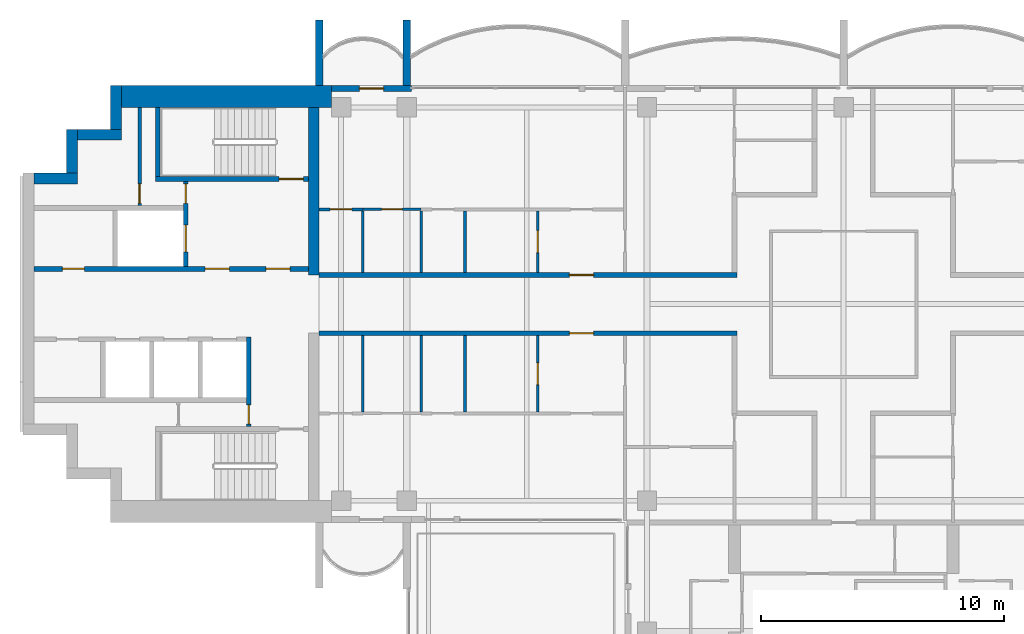
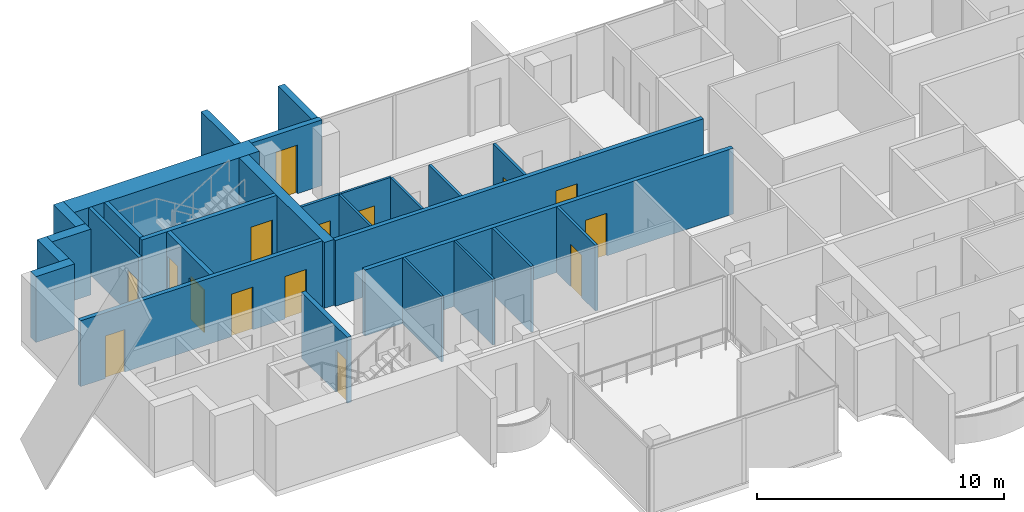
# One storey, part 8 of 17: 27 walls, 15 doors, 15 openings.
"""IFC4 building model written with IfcOpenShell, lengths in metres."""

import ifcopenshell
import ifcopenshell.guid

model = None  # the IFC model being written
_history = None  # IfcOwnerHistory: only IFC2X3 demands one
_inside = {}  # id of a spatial element -> (the spatial element, [elements in it])
_under = {}  # id of a project, library or spatial element -> (it, [spatial elements below it])
_declared = {}  # id of a project -> (the project, [libraries it declares])
_typed = {}  # id of a type object -> (the type object, [elements of that type])
_made_of = {}  # id of a material, layer set ... -> (it, [elements and type objects made of it])


def new_model(schema):
    """Start an empty IFC model of exactly this schema.

    Asked for "IFC4X3", IfcOpenShell would pick the latest addendum, in which some entities
    have other attributes; the version numbers below select the first issue.
    IFC2X3 requires an IfcOwnerHistory on every rooted entity: one is made here for all.
    """
    global model, _history
    if schema == "IFC4X3":
        model = ifcopenshell.file(schema_version=(4, 3, 0, 0))
    else:
        model = ifcopenshell.file(schema=schema)
    _inside.clear()
    _under.clear()
    _declared.clear()
    _typed.clear()
    _made_of.clear()
    _history = None
    if model.schema == "IFC2X3":
        org = make("IfcOrganization", Name="unknown")
        user = make(
            "IfcPersonAndOrganization",
            ThePerson=make("IfcPerson", FamilyName="unknown"),
            TheOrganization=org,
        )
        app = make(
            "IfcApplication",
            ApplicationDeveloper=org,
            Version="unknown",
            ApplicationFullName="unknown",
            ApplicationIdentifier="unknown",
        )
        _history = make(
            "IfcOwnerHistory",
            OwningUser=user,
            OwningApplication=app,
            ChangeAction="ADDED",
            CreationDate=0,
        )
    return model


def make(cls, **values):
    """One entity of the class cls with the attributes given. An attribute that is None is left unset."""
    return model.create_entity(
        cls, **{name: value for name, value in values.items() if value is not None}
    )


def rooted(cls, **values):
    """An entity with a GlobalId (a new one), such as an element, a storey or a relation."""
    return make(cls, GlobalId=ifcopenshell.guid.new(), OwnerHistory=_history, **values)


def si_unit(unit_type, name, prefix=None):
    """IfcSIUnit, for example si_unit("LENGTHUNIT", "METRE", prefix="MILLI")."""
    return make("IfcSIUnit", UnitType=unit_type, Prefix=prefix, Name=name)


def assignment(units):
    """IfcUnitAssignment: the units of a project."""
    return None if units is None else make("IfcUnitAssignment", Units=units)


def point(xyz):
    """IfcCartesianPoint."""
    return None if xyz is None else make("IfcCartesianPoint", Coordinates=xyz)


def direction(xyz):
    """IfcDirection."""
    return None if xyz is None else make("IfcDirection", DirectionRatios=xyz)


def frame(location, z_axis=None, x_axis=None):
    """IfcAxis2Placement3D, a coordinate frame: its origin and axes. An axis left out is left unset."""
    return make(
        "IfcAxis2Placement3D",
        Location=point(location),
        Axis=direction(z_axis),
        RefDirection=direction(x_axis),
    )


def frame_2d(location, x_axis=None):
    """IfcAxis2Placement2D, a coordinate frame in the plane: its origin and x axis."""
    return make(
        "IfcAxis2Placement2D", Location=point(location), RefDirection=direction(x_axis)
    )


def origin():
    """The frame at (0, 0, 0) with its axes left unset."""
    return frame((0.0, 0.0, 0.0))


def place(relative_to, where):
    """IfcLocalPlacement: puts the frame where relative to a parent placement (None: the world)."""
    return make(
        "IfcLocalPlacement", PlacementRelTo=relative_to, RelativePlacement=where
    )


def context(
    kind, dimensions, precision=None, world=None, true_north=None, identifier=None
):
    """IfcGeometricRepresentationContext, for example the 3D "Model" context."""
    return make(
        "IfcGeometricRepresentationContext",
        ContextIdentifier=identifier,
        ContextType=kind,
        CoordinateSpaceDimension=dimensions,
        Precision=precision,
        WorldCoordinateSystem=world,
        TrueNorth=true_north,
    )


def subcontext(parent, identifier, kind, view, scale=None):
    """IfcGeometricRepresentationSubContext, for example "Body" below "Model"."""
    return make(
        "IfcGeometricRepresentationSubContext",
        ContextIdentifier=identifier,
        ContextType=kind,
        ParentContext=parent,
        TargetScale=scale,
        TargetView=view,
    )


def project(units=None, contexts=None):
    """IfcProject with its units and contexts."""
    return rooted(
        "IfcProject",
        Name="project",
        RepresentationContexts=contexts,
        UnitsInContext=assignment(units),
    )


def spatial(cls, under=None, at=None, **own):
    """A site, building, storey or space (cls), placed at a placement, below another one or the project."""
    s = rooted(cls, ObjectPlacement=at, **own)
    if under is not None:
        _under.setdefault(under.id(), (under, []))[1].append(s)
    return s


def profile(cls, at=None, kind="AREA", **sizes):
    """A parametric profile (cls). Its sizes go by their IFC names, for example OverallWidth=200.0."""
    return make(cls, ProfileType=kind, Position=at, **sizes)


def rectangle(**sizes):
    """IfcRectangleProfileDef."""
    return profile("IfcRectangleProfileDef", **sizes)


def extrude(swept, where, along, depth):
    """IfcExtrudedAreaSolid: the profile swept, set in the frame where, extruded along a direction by depth."""
    return make(
        "IfcExtrudedAreaSolid",
        SweptArea=swept,
        Position=where,
        ExtrudedDirection=direction(along),
        Depth=depth,
    )


def shape(context_of_items, identifier, shape_type, items):
    """IfcShapeRepresentation: the items that make up one representation, for example the "Body"."""
    return make(
        "IfcShapeRepresentation",
        ContextOfItems=context_of_items,
        RepresentationIdentifier=identifier,
        RepresentationType=shape_type,
        Items=items,
    )


def material(Name=None, Category=None):
    """IfcMaterial."""
    return make("IfcMaterial", Name=Name, Category=Category)


def layer(
    of_material, thickness, ventilated=None, Name=None, Category=None, Priority=None
):
    """IfcMaterialLayer: one layer of a wall or slab, of a material (None: an air gap)."""
    return make(
        "IfcMaterialLayer",
        Material=of_material,
        LayerThickness=thickness,
        IsVentilated=ventilated,
        Name=Name,
        Category=Category,
        Priority=Priority,
    )


def layer_set(layers, Name=None):
    """IfcMaterialLayerSet."""
    return make("IfcMaterialLayerSet", MaterialLayers=layers, LayerSetName=Name)


def made_of(thing, what):
    """Note that an element or type object is made of a material, layer set ...; save() writes the relation."""
    if what is not None:
        _made_of.setdefault(what.id(), (what, []))[1].append(thing)
    return thing


def type_object(cls, material=None, **own):
    """A type object (cls), such as IfcWallType, which elements share."""
    return made_of(rooted(cls, **own), material)


def element(
    cls,
    number,
    at=None,
    inside=None,
    cuts=None,
    type_object=None,
    material=None,
    context=None,
    identifier="Body",
    shape_type=None,
    held_by="IfcProductDefinitionShape",
    body=None,
    shapes=None,
    **own,
):
    """One element of the class cls, such as IfcWall. Its Tag is "e" and its number.

    at: its placement. inside: the storey or other place that contains it. cuts: it is an
    opening in that element (IfcRelVoidsElement). A single representation is given by context,
    identifier, shape_type and body (its items); several are given by shapes. held_by: the class
    of the entity that holds the representations. save() writes the other relations.
    """
    e = rooted(cls, Tag="e%d" % number, ObjectPlacement=at, **own)
    if body is not None:
        shapes = [shape(context, identifier, shape_type, body)]
    if shapes is not None:
        e.Representation = make(held_by, Representations=shapes)
    if inside is not None:
        _inside.setdefault(inside.id(), (inside, []))[1].append(e)
    if cuts is not None:
        rooted(
            "IfcRelVoidsElement", RelatingBuildingElement=cuts, RelatedOpeningElement=e
        )
    if type_object is not None:
        _typed.setdefault(type_object.id(), (type_object, []))[1].append(e)
    return made_of(e, material)


def fill(opening, filler):
    """IfcRelFillsElement: the door or window that sits in an opening."""
    return rooted(
        "IfcRelFillsElement",
        RelatingOpeningElement=opening,
        RelatedBuildingElement=filler,
    )


def aggregate(whole, parts):
    """IfcRelAggregates: a whole, such as a stair, and the parts it consists of."""
    return rooted("IfcRelAggregates", RelatingObject=whole, RelatedObjects=parts)


def save(model, path):
    """Write the relations noted so far, then the file.

    IfcRelAggregates (storeys below a building ...), IfcRelContainedInSpatialStructure (elements
    in a storey), IfcRelDefinesByType, IfcRelAssociatesMaterial and IfcRelDeclares: one each for
    every whole, place, type object, material and project.
    """
    for whole, parts in _under.values():
        aggregate(whole, parts)
    for where, things in _inside.values():
        rooted(
            "IfcRelContainedInSpatialStructure",
            RelatedElements=things,
            RelatingStructure=where,
        )
    for kind, things in _typed.values():
        rooted("IfcRelDefinesByType", RelatedObjects=things, RelatingType=kind)
    for what, things in _made_of.values():
        rooted("IfcRelAssociatesMaterial", RelatedObjects=things, RelatingMaterial=what)
    for by, libraries in _declared.values():
        rooted("IfcRelDeclares", RelatingContext=by, RelatedDefinitions=libraries)
    model.write(path)


model = new_model("IFC4")

# Units and contexts
model_context = context("Model", 3, precision=1e-05, world=origin(), true_north=direction((0.0, 1.0)))
body_context = subcontext(model_context, "Body", "Model", "MODEL_VIEW")
ifc_project = project(units=[si_unit("LENGTHUNIT", "METRE"), si_unit("AREAUNIT", "SQUARE_METRE"), si_unit("VOLUMEUNIT", "CUBIC_METRE"), si_unit("PLANEANGLEUNIT", "RADIAN"), si_unit("MASSUNIT", "GRAM", prefix="KILO")], contexts=[model_context])

# Site, building, storey
site_placement = place(None, origin())
site = spatial("IfcSite", under=ifc_project, at=site_placement, CompositionType="ELEMENT")
building_placement = place(site_placement, origin())
building = spatial("IfcBuilding", under=site, at=building_placement, Name="Perihelion Cross Residences", CompositionType="ELEMENT")
storey_placement = place(building_placement, frame((0.0, 0.0, 278.0)))
storey = spatial("IfcBuildingStorey", under=building, at=storey_placement, Name="L71", CompositionType="ELEMENT", Elevation=278.0)

# Wall, opening, door
ifc_material_1 = material(Name="Plasterboard partition")
ifc_layer_1 = layer(ifc_material_1, 0.199951171875)
ifc_layer_set_1 = layer_set([ifc_layer_1], Name="Apartment separation wall 200")
wall_type_1 = type_object("IfcWallType", Name="Apartment separation wall 200", PredefinedType="PARTITIONING", material=ifc_layer_set_1)
wall_1_placement = place(storey_placement, frame((-21.60009765625, 1.199951171875, 0.0), z_axis=(0.0, 0.0, 1.0), x_axis=(1.0, 0.0, 0.0)))
wall_1 = element("IfcWall", 1, at=wall_1_placement, inside=storey, type_object=wall_type_1, Name="Partition L71 W013", PredefinedType="PARTITIONING", context=body_context, shape_type="SweptSolid", body=[
    extrude(rectangle(XDim=17.2001953125, YDim=0.199951171875, at=frame_2d((8.60009765625, 0.0))), origin(), (0.0, 0.0, 1.0), 3.25),
])
opening_1_placement = place(wall_1_placement, frame((10.300048828125, 0.0, 0.0)))
opening_1 = element("IfcOpeningElement", 2, at=opening_1_placement, cuts=wall_1, Name="Opening L71.A44", PredefinedType="OPENING", context=body_context, shape_type="SweptSolid", body=[
    extrude(rectangle(XDim=1.0, YDim=2.10009765625, at=frame_2d((0.5, 1.050048828125))), frame((0.0, 0.10986328125, 0.0), z_axis=(0.0, -1.0, 0.0), x_axis=(1.0, 0.0, 0.0)), (0.0, 0.0, 1.0), 0.219970703125),
])
ifc_material_2 = material(Name="Timber door leaf", Category="wood")
door_type_1 = type_object("IfcDoorType", Name="Flat entrance door 1000 x 2100", OperationType="SINGLE_SWING_LEFT", PredefinedType="DOOR", material=ifc_material_2)
door_1_placement = place(opening_1_placement, origin())
door_1 = element("IfcDoor", 3, at=door_1_placement, inside=storey, type_object=door_type_1, Name="Door L71.A44", OperationType="SINGLE_SWING_RIGHT", OverallHeight=2.10009765625, OverallWidth=1.0, PredefinedType="DOOR", context=body_context, shape_type="SweptSolid", body=[
    extrude(rectangle(XDim=1.0, YDim=2.10009765625, at=frame_2d((0.5, 1.050048828125))), frame((0.0, 0.02490234375, 0.0), z_axis=(0.0, -1.0, 0.0), x_axis=(1.0, 0.0, 0.0)), (0.0, 0.0, 1.0), 0.050048828125),
])
fill(opening_1, door_1)

wall_2_placement = place(storey_placement, frame((-4.39990234375, -1.199951171875, 0.0), z_axis=(0.0, 0.0, 1.0), x_axis=(-1.0, 0.0, 0.0)))
wall_2 = element("IfcWall", 4, at=wall_2_placement, inside=storey, type_object=wall_type_1, Name="Partition L71 W017", PredefinedType="PARTITIONING", context=body_context, shape_type="SweptSolid", body=[
    extrude(rectangle(XDim=17.2001953125, YDim=0.199951171875, at=frame_2d((8.60009765625, 0.0))), origin(), (0.0, 0.0, 1.0), 3.25),
])
opening_2_placement = place(wall_2_placement, frame((5.89990234375, 0.0, 0.0)))
opening_2 = element("IfcOpeningElement", 5, at=opening_2_placement, cuts=wall_2, Name="Opening L71.A45", PredefinedType="OPENING", context=body_context, shape_type="SweptSolid", body=[
    extrude(rectangle(XDim=1.0, YDim=2.10009765625, at=frame_2d((0.5, 1.050048828125))), frame((0.0, 0.10986328125, 0.0), z_axis=(0.0, -1.0, 0.0), x_axis=(1.0, 0.0, 0.0)), (0.0, 0.0, 1.0), 0.219970703125),
])
door_2_placement = place(opening_2_placement, origin())
door_2 = element("IfcDoor", 6, at=door_2_placement, inside=storey, type_object=door_type_1, Name="Door L71.A45", OperationType="SINGLE_SWING_RIGHT", OverallHeight=2.10009765625, OverallWidth=1.0, PredefinedType="DOOR", context=body_context, shape_type="SweptSolid", body=[
    extrude(rectangle(XDim=1.0, YDim=2.10009765625, at=frame_2d((0.5, 1.050048828125))), frame((0.0, 0.02490234375, 0.0), z_axis=(0.0, -1.0, 0.0), x_axis=(1.0, 0.0, 0.0)), (0.0, 0.0, 1.0), 0.050048828125),
])
fill(opening_2, door_2)

ifc_material_3 = material(Name="Concrete C30/37, bronze-clad", Category="concrete")
ifc_layer_2 = layer(ifc_material_3, 0.25)
ifc_layer_set_2 = layer_set([ifc_layer_2], Name="Bronze-clad pier wall 250")
wall_type_2 = type_object("IfcWallType", Name="Bronze-clad pier wall 250", PredefinedType="SOLIDWALL", material=ifc_layer_set_2)
wall_3_placement = place(storey_placement, frame((-17.800048828125, 8.875, 0.0), z_axis=(0.0, 0.0, 1.0), x_axis=(-1.0, 0.0, 0.0)))
wall_3 = element("IfcWall", 7, at=wall_3_placement, inside=storey, type_object=wall_type_2, Name="Wall FW1 L71 west side north bay 2 pier", PredefinedType="SOLIDWALL", context=body_context, shape_type="SweptSolid", body=[
    extrude(rectangle(XDim=3.300048828125, YDim=0.25, at=frame_2d((1.64990234375, 0.0))), origin(), (0.0, 0.0, 1.0), 3.25),
])
opening_3_placement = place(wall_3_placement, frame((1.14990234375, 0.0, 0.0)))
opening_3 = element("IfcOpeningElement", 8, at=opening_3_placement, cuts=wall_3, Name="Opening L71.E06", PredefinedType="OPENING", context=body_context, shape_type="SweptSolid", body=[
    extrude(rectangle(XDim=1.0, YDim=2.39990234375, at=frame_2d((0.5, 1.199951171875))), frame((0.0, 0.135009765625, 0.0), z_axis=(0.0, -1.0, 0.0), x_axis=(1.0, 0.0, 0.0)), (0.0, 0.0, 1.0), 0.27001953125),
])
ifc_material_4 = material(Name="Bronze anodised aluminium, glazed", Category="aluminium")
door_type_2 = type_object("IfcDoorType", Name="Balcony door 1000 x 2400", OperationType="NOTDEFINED", PredefinedType="DOOR", material=ifc_material_4)
door_3_placement = place(opening_3_placement, origin())
door_3 = element("IfcDoor", 9, at=door_3_placement, inside=storey, type_object=door_type_2, Name="Door L71.E06 west side north bay 2", OperationType="SINGLE_SWING_RIGHT", OverallHeight=2.39990234375, OverallWidth=1.0, PredefinedType="DOOR", context=body_context, shape_type="SweptSolid", body=[
    extrude(rectangle(XDim=1.0, YDim=2.39990234375, at=frame_2d((0.5, 1.199951171875))), frame((0.0, 0.02490234375, 0.0), z_axis=(0.0, -1.0, 0.0), x_axis=(1.0, 0.0, 0.0)), (0.0, 0.0, 1.0), 0.050048828125),
])
fill(opening_3, door_3)

# Walls
ifc_material_5 = material(Name="Concrete C60/75", Category="concrete")
ifc_layer_3 = layer(ifc_material_5, 0.449951171875)
ifc_layer_set_3 = layer_set([ifc_layer_3], Name="Core wall, inner 450")
wall_type_3 = type_object("IfcWallType", Name="Core wall, inner 450", PredefinedType="SHEAR", material=ifc_layer_set_3)
wall_4_placement = place(storey_placement, frame((-21.824951171875, 1.199951171875, 0.0), z_axis=(0.0, 0.0, 1.0), x_axis=(0.0, 1.0, 0.0)))
element("IfcWall", 10, at=wall_4_placement, inside=storey, type_object=wall_type_3, Name="West core core wall, inner", PredefinedType="SHEAR", context=body_context, shape_type="SweptSolid", body=[
    extrude(rectangle(XDim=6.900146484375, YDim=0.449951171875, at=frame_2d((3.4501953125, 0.0))), origin(), (0.0, 0.0, 1.0), 3.25),
])
ifc_material_6 = material(Name="Concrete C60/75", Category="concrete")
ifc_layer_4 = layer(ifc_material_6, 0.449951171875)
ifc_layer_set_4 = layer_set([ifc_layer_4], Name="Core wall, outer 450")
wall_type_4 = type_object("IfcWallType", Name="Core wall, outer 450", PredefinedType="SHEAR", material=ifc_layer_set_4)
for number, where, z_axis, x_axis, name in (
    (11, (-33.35009765625, 5.175048828125, 0.0), (0.0, 0.0, 1.0), (1.0, 0.0, 0.0), "West core core wall, outer"),
    (12, (-31.77490234375, 5.39990234375, 0.0), (0.0, 0.0, 1.0), (0.0, 1.0, 0.0), "West core core wall, outer"),
    (13, (-31.550048828125, 6.97509765625, 0.0), (0.0, 0.0, 1.0), (1.0, 0.0, 0.0), "West core core wall, outer"),
    (14, (-29.97509765625, 7.199951171875, 0.0), (0.0, 0.0, 1.0), (0.0, 1.0, 0.0), "West core core wall, outer"),
):
    element("IfcWall", number, at=place(storey_placement, frame(where, z_axis=z_axis, x_axis=x_axis)), inside=storey, type_object=wall_type_4, Name=name, PredefinedType="SHEAR", context=body_context, shape_type="SweptSolid", body=[
        extrude(rectangle(XDim=1.800048828125, YDim=0.449951171875, at=frame_2d((0.89990234375, 0.0))), origin(), (0.0, 0.0, 1.0), 3.25),
    ])
ifc_material_7 = material(Name="Concrete C60/75", Category="concrete")
ifc_layer_5 = layer(ifc_material_7, 0.89990234375)
ifc_layer_set_5 = layer_set([ifc_layer_5], Name="Core wall, outer 900")
wall_type_5 = type_object("IfcWallType", Name="Core wall, outer 900", PredefinedType="SHEAR", material=ifc_layer_set_5)
wall_5_placement = place(storey_placement, frame((-29.75, 8.550048828125, 0.0), z_axis=(0.0, 0.0, 1.0), x_axis=(1.0, 0.0, 0.0)))
element("IfcWall", 15, at=wall_5_placement, inside=storey, type_object=wall_type_5, Name="West core core wall, outer", PredefinedType="SHEAR", context=body_context, shape_type="SweptSolid", body=[
    extrude(rectangle(XDim=8.64990234375, YDim=0.89990234375, at=frame_2d((4.324951171875, 0.0))), origin(), (0.0, 0.0, 1.0), 3.25),
])

# Wall, opening, door
ifc_material_8 = material(Name="Concrete C50/60", Category="concrete")
ifc_layer_6 = layer(ifc_material_8, 0.199951171875)
ifc_layer_set_6 = layer_set([ifc_layer_6], Name="Lobby wall 200")
wall_type_6 = type_object("IfcWallType", Name="Lobby wall 200", PredefinedType="SOLIDWALL", material=ifc_layer_set_6)
wall_6_placement = place(storey_placement, frame((-24.5, -5.050048828125, 0.0), z_axis=(0.0, 0.0, 1.0), x_axis=(0.0, 1.0, 0.0)))
wall_6 = element("IfcWall", 16, at=wall_6_placement, inside=storey, type_object=wall_type_6, Name="West core lobby wall", PredefinedType="SOLIDWALL", context=body_context, shape_type="SweptSolid", body=[
    extrude(rectangle(XDim=3.699951171875, YDim=0.199951171875, at=frame_2d((1.85009765625, 0.0))), origin(), (0.0, 0.0, 1.0), 3.25),
])
opening_4_placement = place(wall_6_placement, frame((0.10009765625, 0.0, 0.0)))
opening_4 = element("IfcOpeningElement", 17, at=opening_4_placement, cuts=wall_6, Name="Opening L71.C22", PredefinedType="OPENING", context=body_context, shape_type="SweptSolid", body=[
    extrude(rectangle(XDim=0.800048828125, YDim=2.10009765625, at=frame_2d((0.39990234375, 1.050048828125))), frame((0.0, 0.10986328125, 0.0), z_axis=(0.0, -1.0, 0.0), x_axis=(1.0, 0.0, 0.0)), (0.0, 0.0, 1.0), 0.219970703125),
])
ifc_material_9 = material(Name="Steel, powder coated", Category="steel")
door_type_3 = type_object("IfcDoorType", Name="Riser door 800", OperationType="SINGLE_SWING_LEFT", PredefinedType="DOOR", material=ifc_material_9)
door_4_placement = place(opening_4_placement, origin())
door_4 = element("IfcDoor", 18, at=door_4_placement, inside=storey, type_object=door_type_3, Name="West core riser door", OperationType="SINGLE_SWING_LEFT", OverallHeight=2.10009765625, OverallWidth=0.800048828125, PredefinedType="DOOR", context=body_context, shape_type="SweptSolid", body=[
    extrude(rectangle(XDim=0.800048828125, YDim=2.10009765625, at=frame_2d((0.39990234375, 1.050048828125))), frame((0.0, 0.02490234375, 0.0), z_axis=(0.0, -1.0, 0.0), x_axis=(1.0, 0.0, 0.0)), (0.0, 0.0, 1.0), 0.050048828125),
])
fill(opening_4, door_4)

ifc_material_10 = material(Name="Plasterboard partition")
ifc_layer_7 = layer(ifc_material_10, 0.1201171875)
ifc_layer_set_7 = layer_set([ifc_layer_7], Name="Partition wall 120")
wall_type_7 = type_object("IfcWallType", Name="Partition wall 120", PredefinedType="PARTITIONING", material=ifc_layer_set_7)
wall_7_placement = place(storey_placement, frame((-12.60009765625, 1.300048828125, 0.0), z_axis=(0.0, 0.0, 1.0), x_axis=(0.0, 1.0, 0.0)))
wall_7 = element("IfcWall", 19, at=wall_7_placement, inside=storey, type_object=wall_type_7, Name="Partition L71 W046", PredefinedType="PARTITIONING", context=body_context, shape_type="SweptSolid", body=[
    extrude(rectangle(XDim=2.5400390625, YDim=0.1201171875, at=frame_2d((1.27001953125, 0.0))), origin(), (0.0, 0.0, 1.0), 3.25),
])
opening_5_placement = place(wall_7_placement, frame((0.820068359375, 0.0, 0.0)))
opening_5 = element("IfcOpeningElement", 20, at=opening_5_placement, cuts=wall_7, Name="Opening L71.A21", PredefinedType="OPENING", context=body_context, shape_type="SweptSolid", body=[
    extrude(rectangle(XDim=0.89990234375, YDim=2.10009765625, at=frame_2d((0.449951171875, 1.050048828125))), frame((0.0, 0.070068359375, 0.0), z_axis=(0.0, -1.0, 0.0), x_axis=(1.0, 0.0, 0.0)), (0.0, 0.0, 1.0), 0.14013671875),
])
ifc_material_11 = material(Name="Timber door leaf", Category="wood")
door_type_4 = type_object("IfcDoorType", Name="Interior room door 900 x 2100", OperationType="SINGLE_SWING_LEFT", PredefinedType="DOOR", material=ifc_material_11)
door_5_placement = place(opening_5_placement, origin())
door_5 = element("IfcDoor", 21, at=door_5_placement, inside=storey, type_object=door_type_4, Name="Door L71.A21", OperationType="SINGLE_SWING_LEFT", OverallHeight=2.10009765625, OverallWidth=0.89990234375, PredefinedType="DOOR", context=body_context, shape_type="SweptSolid", body=[
    extrude(rectangle(XDim=0.89990234375, YDim=2.10009765625, at=frame_2d((0.449951171875, 1.050048828125))), frame((0.0, 0.02490234375, 0.0), z_axis=(0.0, -1.0, 0.0), x_axis=(1.0, 0.0, 0.0)), (0.0, 0.0, 1.0), 0.050048828125),
])
fill(opening_5, door_5)

# Wall
wall_8_placement = place(storey_placement, frame((-15.60009765625, 1.300048828125, 0.0), z_axis=(0.0, 0.0, 1.0), x_axis=(0.0, 1.0, 0.0)))
element("IfcWall", 22, at=wall_8_placement, inside=storey, type_object=wall_type_7, Name="Partition L71 W049", PredefinedType="PARTITIONING", context=body_context, shape_type="SweptSolid", body=[
    extrude(rectangle(XDim=2.5400390625, YDim=0.1201171875, at=frame_2d((1.27001953125, 0.0))), origin(), (0.0, 0.0, 1.0), 3.25),
])

# Wall, opening, door
wall_9_placement = place(storey_placement, frame((-21.60009765625, 3.89990234375, 0.0), z_axis=(0.0, 0.0, 1.0), x_axis=(1.0, 0.0, 0.0)))
wall_9 = element("IfcWall", 23, at=wall_9_placement, inside=storey, type_object=wall_type_7, Name="Partition L71 W053", PredefinedType="PARTITIONING", context=body_context, shape_type="SweptSolid", body=[
    extrude(rectangle(XDim=1.800048828125, YDim=0.1201171875, at=frame_2d((0.89990234375, 0.0))), origin(), (0.0, 0.0, 1.0), 3.25),
])
opening_6_placement = place(wall_9_placement, frame((0.449951171875, 0.0, 0.0)))
opening_6 = element("IfcOpeningElement", 24, at=opening_6_placement, cuts=wall_9, Name="Opening L71.A20", PredefinedType="OPENING", context=body_context, shape_type="SweptSolid", body=[
    extrude(rectangle(XDim=0.89990234375, YDim=2.10009765625, at=frame_2d((0.449951171875, 1.050048828125))), frame((0.0, 0.070068359375, 0.0), z_axis=(0.0, -1.0, 0.0), x_axis=(1.0, 0.0, 0.0)), (0.0, 0.0, 1.0), 0.14013671875),
])
door_6_placement = place(opening_6_placement, origin())
door_6 = element("IfcDoor", 25, at=door_6_placement, inside=storey, type_object=door_type_4, Name="Door L71.A20", OperationType="SINGLE_SWING_LEFT", OverallHeight=2.10009765625, OverallWidth=0.89990234375, PredefinedType="DOOR", context=body_context, shape_type="SweptSolid", body=[
    extrude(rectangle(XDim=0.89990234375, YDim=2.10009765625, at=frame_2d((0.449951171875, 1.050048828125))), frame((0.0, 0.02490234375, 0.0), z_axis=(0.0, -1.0, 0.0), x_axis=(1.0, 0.0, 0.0)), (0.0, 0.0, 1.0), 0.050048828125),
])
fill(opening_6, door_6)

wall_10_placement = place(storey_placement, frame((-12.60009765625, -4.43994140625, 0.0), z_axis=(0.0, 0.0, 1.0), x_axis=(0.0, 1.0, 0.0)))
wall_10 = element("IfcWall", 26, at=wall_10_placement, inside=storey, type_object=wall_type_7, Name="Partition L71 W057", PredefinedType="PARTITIONING", context=body_context, shape_type="SweptSolid", body=[
    extrude(rectangle(XDim=3.139892578125, YDim=0.1201171875, at=frame_2d((1.56982421875, 0.0))), origin(), (0.0, 0.0, 1.0), 3.25),
])
opening_7_placement = place(wall_10_placement, frame((1.1201171875, 0.0, 0.0)))
opening_7 = element("IfcOpeningElement", 27, at=opening_7_placement, cuts=wall_10, Name="Opening L71.A31", PredefinedType="OPENING", context=body_context, shape_type="SweptSolid", body=[
    extrude(rectangle(XDim=0.89990234375, YDim=2.10009765625, at=frame_2d((0.449951171875, 1.050048828125))), frame((0.0, 0.070068359375, 0.0), z_axis=(0.0, -1.0, 0.0), x_axis=(1.0, 0.0, 0.0)), (0.0, 0.0, 1.0), 0.14013671875),
])
door_7_placement = place(opening_7_placement, origin())
door_7 = element("IfcDoor", 28, at=door_7_placement, inside=storey, type_object=door_type_4, Name="Door L71.A31", OperationType="SINGLE_SWING_LEFT", OverallHeight=2.10009765625, OverallWidth=0.89990234375, PredefinedType="DOOR", context=body_context, shape_type="SweptSolid", body=[
    extrude(rectangle(XDim=0.89990234375, YDim=2.10009765625, at=frame_2d((0.449951171875, 1.050048828125))), frame((0.0, 0.02490234375, 0.0), z_axis=(0.0, -1.0, 0.0), x_axis=(1.0, 0.0, 0.0)), (0.0, 0.0, 1.0), 0.050048828125),
])
fill(opening_7, door_7)

# Walls
wall_11_placement = place(storey_placement, frame((-15.60009765625, -4.43994140625, 0.0), z_axis=(0.0, 0.0, 1.0), x_axis=(0.0, 1.0, 0.0)))
element("IfcWall", 29, at=wall_11_placement, inside=storey, type_object=wall_type_7, Name="Partition L71 W060", PredefinedType="PARTITIONING", context=body_context, shape_type="SweptSolid", body=[
    extrude(rectangle(XDim=3.139892578125, YDim=0.1201171875, at=frame_2d((1.56982421875, 0.0))), origin(), (0.0, 0.0, 1.0), 3.25),
])
ifc_material_12 = material(Name="Precast concrete C50/60", Category="concrete")
ifc_layer_8 = layer(ifc_material_12, 0.300048828125)
ifc_layer_set_8 = layer_set([ifc_layer_8], Name="Precast concrete C50/60 blade wall 300")
wall_type_8 = type_object("IfcWallType", Name="Precast concrete C50/60 blade wall 300", PredefinedType="SOLIDWALL", material=ifc_layer_set_8)
for number, where, z_axis, x_axis, name in (
    (30, (-21.60009765625, 9.0, 0.0), (0.0, 0.0, 1.0), (0.0, 1.0, 0.0), "Wall BL1 L71 no. 4"),
    (31, (-18.0, 9.0, 0.0), (0.0, 0.0, 1.0), (0.0, 1.0, 0.0), "Wall BL1 L71 no. 2"),
):
    element("IfcWall", number, at=place(storey_placement, frame(where, z_axis=z_axis, x_axis=x_axis)), inside=storey, type_object=wall_type_8, Name=name, PredefinedType="SOLIDWALL", context=body_context, shape_type="SweptSolid", body=[
        extrude(rectangle(XDim=2.699951171875, YDim=0.300048828125, at=frame_2d((1.35009765625, 0.0))), origin(), (0.0, 0.0, 1.0), 3.25),
    ])

# Wall, opening, door
ifc_material_13 = material(Name="Fire-rated board on steel stud", Category="steel")
ifc_layer_9 = layer(ifc_material_13, 0.14990234375)
ifc_layer_set_9 = layer_set([ifc_layer_9], Name="Riser wall 150")
wall_type_9 = type_object("IfcWallType", Name="Riser wall 150", PredefinedType="PARTITIONING", material=ifc_layer_set_9)
wall_12_placement = place(storey_placement, frame((-29.0, 4.050048828125, 0.0), z_axis=(0.0, 0.0, 1.0), x_axis=(0.0, 1.0, 0.0)))
wall_12 = element("IfcWall", 32, at=wall_12_placement, inside=storey, type_object=wall_type_9, Name="West core riser wall", PredefinedType="PARTITIONING", context=body_context, shape_type="SweptSolid", body=[
    extrude(rectangle(XDim=4.050048828125, YDim=0.14990234375, at=frame_2d((2.02490234375, 0.0))), origin(), (0.0, 0.0, 1.0), 3.25),
])
opening_8_placement = place(wall_12_placement, frame((0.10009765625, 0.0, 0.0)))
opening_8 = element("IfcOpeningElement", 33, at=opening_8_placement, cuts=wall_12, Name="Opening L71.C26", PredefinedType="OPENING", context=body_context, shape_type="SweptSolid", body=[
    extrude(rectangle(XDim=0.800048828125, YDim=2.10009765625, at=frame_2d((0.39990234375, 1.050048828125))), frame((0.0, 0.0849609375, 0.0), z_axis=(0.0, -1.0, 0.0), x_axis=(1.0, 0.0, 0.0)), (0.0, 0.0, 1.0), 0.169921875),
])
door_8_placement = place(opening_8_placement, origin())
door_8 = element("IfcDoor", 34, at=door_8_placement, inside=storey, type_object=door_type_3, Name="West core riser door", OperationType="SINGLE_SWING_LEFT", OverallHeight=2.10009765625, OverallWidth=0.800048828125, PredefinedType="DOOR", context=body_context, shape_type="SweptSolid", body=[
    extrude(rectangle(XDim=0.800048828125, YDim=2.10009765625, at=frame_2d((0.39990234375, 1.050048828125))), frame((0.0, 0.02490234375, 0.0), z_axis=(0.0, -1.0, 0.0), x_axis=(1.0, 0.0, 0.0)), (0.0, 0.0, 1.0), 0.050048828125),
])
fill(opening_8, door_8)

# Wall, openings, doors
ifc_material_14 = material(Name="Concrete C50/60", Category="concrete")
ifc_layer_10 = layer(ifc_material_14, 0.199951171875)
ifc_layer_set_10 = layer_set([ifc_layer_10], Name="Shaft wall 200")
wall_type_10 = type_object("IfcWallType", Name="Shaft wall 200", PredefinedType="SOLIDWALL", material=ifc_layer_set_10)
wall_13_placement = place(storey_placement, frame((-33.35009765625, 1.449951171875, 0.0), z_axis=(0.0, 0.0, 1.0), x_axis=(1.0, 0.0, 0.0)))
wall_13 = element("IfcWall", 35, at=wall_13_placement, inside=storey, type_object=wall_type_10, Name="West core shaft wall", PredefinedType="SOLIDWALL", context=body_context, shape_type="SweptSolid", body=[
    extrude(rectangle(XDim=11.300048828125, YDim=0.199951171875, at=frame_2d((5.64990234375, 0.0))), origin(), (0.0, 0.0, 1.0), 3.25),
])
opening_9_placement = place(wall_13_placement, frame((9.550048828125, 0.0, 0.0)))
opening_9 = element("IfcOpeningElement", 36, at=opening_9_placement, cuts=wall_13, Name="Opening L71.C21", PredefinedType="OPENING", context=body_context, shape_type="SweptSolid", body=[
    extrude(rectangle(XDim=1.0, YDim=2.10009765625, at=frame_2d((0.5, 1.050048828125))), frame((0.0, 0.10986328125, 0.0), z_axis=(0.0, -1.0, 0.0), x_axis=(1.0, 0.0, 0.0)), (0.0, 0.0, 1.0), 0.219970703125),
])
opening_10_placement = place(wall_13_placement, frame((7.050048828125, 0.0, 0.0)))
opening_10 = element("IfcOpeningElement", 37, at=opening_10_placement, cuts=wall_13, Name="Opening L71.C23", PredefinedType="OPENING", context=body_context, shape_type="SweptSolid", body=[
    extrude(rectangle(XDim=1.0, YDim=2.10009765625, at=frame_2d((0.5, 1.050048828125))), frame((0.0, 0.10986328125, 0.0), z_axis=(0.0, -1.0, 0.0), x_axis=(1.0, 0.0, 0.0)), (0.0, 0.0, 1.0), 0.219970703125),
])
opening_11_placement = place(wall_13_placement, frame((1.175048828125, 0.0, 0.0)))
opening_11 = element("IfcOpeningElement", 38, at=opening_11_placement, cuts=wall_13, Name="Opening L71.C27", PredefinedType="OPENING", context=body_context, shape_type="SweptSolid", body=[
    extrude(rectangle(XDim=0.89990234375, YDim=2.10009765625, at=frame_2d((0.449951171875, 1.050048828125))), frame((0.0, 0.10986328125, 0.0), z_axis=(0.0, -1.0, 0.0), x_axis=(1.0, 0.0, 0.0)), (0.0, 0.0, 1.0), 0.219970703125),
])
ifc_material_15 = material(Name="Steel, powder coated", Category="steel")
door_type_5 = type_object("IfcDoorType", Name="Lobby door 1000", OperationType="SINGLE_SWING_LEFT", PredefinedType="DOOR", material=ifc_material_15)
door_9_placement = place(opening_9_placement, origin())
door_9 = element("IfcDoor", 39, at=door_9_placement, inside=storey, type_object=door_type_5, Name="West core firefighting lobby door", OperationType="SINGLE_SWING_LEFT", OverallHeight=2.10009765625, OverallWidth=1.0, PredefinedType="DOOR", context=body_context, shape_type="SweptSolid", body=[
    extrude(rectangle(XDim=1.0, YDim=2.10009765625, at=frame_2d((0.5, 1.050048828125))), frame((0.0, 0.02490234375, 0.0), z_axis=(0.0, -1.0, 0.0), x_axis=(1.0, 0.0, 0.0)), (0.0, 0.0, 1.0), 0.050048828125),
])
fill(opening_9, door_9)
door_10_placement = place(opening_10_placement, origin())
door_10 = element("IfcDoor", 40, at=door_10_placement, inside=storey, type_object=door_type_5, Name="West core firefighting lobby door", OperationType="SINGLE_SWING_LEFT", OverallHeight=2.10009765625, OverallWidth=1.0, PredefinedType="DOOR", context=body_context, shape_type="SweptSolid", body=[
    extrude(rectangle(XDim=1.0, YDim=2.10009765625, at=frame_2d((0.5, 1.050048828125))), frame((0.0, 0.02490234375, 0.0), z_axis=(0.0, -1.0, 0.0), x_axis=(1.0, 0.0, 0.0)), (0.0, 0.0, 1.0), 0.050048828125),
])
fill(opening_10, door_10)
ifc_material_16 = material(Name="Steel, powder coated", Category="steel")
door_type_6 = type_object("IfcDoorType", Name="Service room door 900", OperationType="SINGLE_SWING_LEFT", PredefinedType="DOOR", material=ifc_material_16)
door_11_placement = place(opening_11_placement, origin())
door_11 = element("IfcDoor", 41, at=door_11_placement, inside=storey, type_object=door_type_6, Name="West core service room door", OperationType="SINGLE_SWING_LEFT", OverallHeight=2.10009765625, OverallWidth=0.89990234375, PredefinedType="DOOR", context=body_context, shape_type="SweptSolid", body=[
    extrude(rectangle(XDim=0.89990234375, YDim=2.10009765625, at=frame_2d((0.449951171875, 1.050048828125))), frame((0.0, 0.02490234375, 0.0), z_axis=(0.0, -1.0, 0.0), x_axis=(1.0, 0.0, 0.0)), (0.0, 0.0, 1.0), 0.050048828125),
])
fill(opening_11, door_11)

wall_14_placement = place(storey_placement, frame((-27.10009765625, 1.550048828125, 0.0), z_axis=(0.0, 0.0, 1.0), x_axis=(0.0, 1.0, 0.0)))
wall_14 = element("IfcWall", 42, at=wall_14_placement, inside=storey, type_object=wall_type_10, Name="West core shaft wall", PredefinedType="SOLIDWALL", context=body_context, shape_type="SweptSolid", body=[
    extrude(rectangle(XDim=3.5, YDim=0.199951171875, at=frame_2d((1.75, 0.0))), origin(), (0.0, 0.0, 1.0), 3.25),
])
opening_12_placement = place(wall_14_placement, frame((0.60009765625, 0.0, 0.0)))
opening_12 = element("IfcOpeningElement", 43, at=opening_12_placement, cuts=wall_14, Name="Opening L71.C16", PredefinedType="OPENING", context=body_context, shape_type="SweptSolid", body=[
    extrude(rectangle(XDim=1.10009765625, YDim=2.10009765625, at=frame_2d((0.550048828125, 1.050048828125))), frame((0.0, 0.10986328125, 0.0), z_axis=(0.0, -1.0, 0.0), x_axis=(1.0, 0.0, 0.0)), (0.0, 0.0, 1.0), 0.219970703125),
])
opening_13_placement = place(wall_14_placement, frame((2.60009765625, 0.0, 0.0)))
opening_13 = element("IfcOpeningElement", 44, at=opening_13_placement, cuts=wall_14, Name="Opening L71.C24", PredefinedType="OPENING", context=body_context, shape_type="SweptSolid", body=[
    extrude(rectangle(XDim=0.800048828125, YDim=2.10009765625, at=frame_2d((0.39990234375, 1.050048828125))), frame((0.0, 0.10986328125, 0.0), z_axis=(0.0, -1.0, 0.0), x_axis=(1.0, 0.0, 0.0)), (0.0, 0.0, 1.0), 0.219970703125),
])
ifc_material_17 = material(Name="Stainless steel", Category="steel")
door_type_7 = type_object("IfcDoorType", Name="Landing door, firefighting lift 1100", OperationType="DOUBLE_DOOR_SLIDING", PredefinedType="DOOR", material=ifc_material_17)
door_12_placement = place(opening_12_placement, origin())
door_12 = element("IfcDoor", 45, at=door_12_placement, inside=storey, type_object=door_type_7, Name="Landing door, West core firefighting and service lift", OperationType="DOUBLE_DOOR_SLIDING", OverallHeight=2.10009765625, OverallWidth=1.10009765625, PredefinedType="DOOR", context=body_context, shape_type="SweptSolid", body=[
    extrude(rectangle(XDim=1.10009765625, YDim=2.10009765625, at=frame_2d((0.550048828125, 1.050048828125))), frame((0.0, 0.02490234375, 0.0), z_axis=(0.0, -1.0, 0.0), x_axis=(1.0, 0.0, 0.0)), (0.0, 0.0, 1.0), 0.050048828125),
])
fill(opening_12, door_12)
door_13_placement = place(opening_13_placement, origin())
door_13 = element("IfcDoor", 46, at=door_13_placement, inside=storey, type_object=door_type_3, Name="West core riser door", OperationType="SINGLE_SWING_LEFT", OverallHeight=2.10009765625, OverallWidth=0.800048828125, PredefinedType="DOOR", context=body_context, shape_type="SweptSolid", body=[
    extrude(rectangle(XDim=0.800048828125, YDim=2.10009765625, at=frame_2d((0.39990234375, 1.050048828125))), frame((0.0, 0.02490234375, 0.0), z_axis=(0.0, -1.0, 0.0), x_axis=(1.0, 0.0, 0.0)), (0.0, 0.0, 1.0), 0.050048828125),
])
fill(opening_13, door_13)

# Wall, opening, door
ifc_material_18 = material(Name="Concrete C50/60", Category="concrete")
ifc_layer_11 = layer(ifc_material_18, 0.199951171875)
ifc_layer_set_11 = layer_set([ifc_layer_11], Name="Stair wall 200")
wall_type_11 = type_object("IfcWallType", Name="Stair wall 200", PredefinedType="SOLIDWALL", material=ifc_layer_set_11)
wall_15_placement = place(storey_placement, frame((-28.35009765625, 5.14990234375, 0.0), z_axis=(0.0, 0.0, 1.0), x_axis=(1.0, 0.0, 0.0)))
wall_15 = element("IfcWall", 47, at=wall_15_placement, inside=storey, type_object=wall_type_11, Name="West core stair wall", PredefinedType="SOLIDWALL", context=body_context, shape_type="SweptSolid", body=[
    extrude(rectangle(XDim=6.300048828125, YDim=0.199951171875, at=frame_2d((3.14990234375, 0.0))), origin(), (0.0, 0.0, 1.0), 3.25),
])
opening_14_placement = place(wall_15_placement, frame((5.10009765625, 0.0, 0.0)))
opening_14 = element("IfcOpeningElement", 48, at=opening_14_placement, cuts=wall_15, Name="Opening L71.C20", PredefinedType="OPENING", context=body_context, shape_type="SweptSolid", body=[
    extrude(rectangle(XDim=1.0, YDim=2.10009765625, at=frame_2d((0.5, 1.050048828125))), frame((0.0, 0.10986328125, 0.0), z_axis=(0.0, -1.0, 0.0), x_axis=(1.0, 0.0, 0.0)), (0.0, 0.0, 1.0), 0.219970703125),
])
ifc_material_19 = material(Name="Steel, powder coated", Category="steel")
door_type_8 = type_object("IfcDoorType", Name="Stair door 1000", OperationType="SINGLE_SWING_LEFT", PredefinedType="DOOR", material=ifc_material_19)
door_14_placement = place(opening_14_placement, origin())
door_14 = element("IfcDoor", 49, at=door_14_placement, inside=storey, type_object=door_type_8, Name="West core stair door", OperationType="SINGLE_SWING_LEFT", OverallHeight=2.10009765625, OverallWidth=1.0, PredefinedType="DOOR", context=body_context, shape_type="SweptSolid", body=[
    extrude(rectangle(XDim=1.0, YDim=2.10009765625, at=frame_2d((0.5, 1.050048828125))), frame((0.0, 0.02490234375, 0.0), z_axis=(0.0, -1.0, 0.0), x_axis=(1.0, 0.0, 0.0)), (0.0, 0.0, 1.0), 0.050048828125),
])
fill(opening_14, door_14)

# Walls
wall_16_placement = place(storey_placement, frame((-28.25, 5.25, 0.0), z_axis=(0.0, 0.0, 1.0), x_axis=(0.0, 1.0, 0.0)))
element("IfcWall", 50, at=wall_16_placement, inside=storey, type_object=wall_type_11, Name="West core stair wall", PredefinedType="SOLIDWALL", context=body_context, shape_type="SweptSolid", body=[
    extrude(rectangle(XDim=2.85009765625, YDim=0.199951171875, at=frame_2d((1.425048828125, 0.0))), origin(), (0.0, 0.0, 1.0), 3.25),
])
ifc_material_20 = material(Name="Plasterboard partition")
ifc_layer_12 = layer(ifc_material_20, 0.10009765625)
ifc_layer_set_12 = layer_set([ifc_layer_12], Name="Wet room wall 100")
wall_type_12 = type_object("IfcWallType", Name="Wet room wall 100", PredefinedType="PARTITIONING", material=ifc_layer_set_12)
for number, where, z_axis, x_axis, name in (
    (51, (-17.39990234375, 1.300048828125, 0.0), (0.0, 0.0, 1.0), (0.0, 1.0, 0.0), "Partition L71 W050"),
    (52, (-19.800048828125, 1.300048828125, 0.0), (0.0, 0.0, 1.0), (0.0, 1.0, 0.0), "Partition L71 W051"),
):
    element("IfcWall", number, at=place(storey_placement, frame(where, z_axis=z_axis, x_axis=x_axis)), inside=storey, type_object=wall_type_12, Name=name, PredefinedType="PARTITIONING", context=body_context, shape_type="SweptSolid", body=[
        extrude(rectangle(XDim=2.5400390625, YDim=0.10009765625, at=frame_2d((1.27001953125, 0.0))), origin(), (0.0, 0.0, 1.0), 3.25),
    ])

# Wall, opening, door
wall_17_placement = place(storey_placement, frame((-19.800048828125, 3.89990234375, 0.0), z_axis=(0.0, 0.0, 1.0), x_axis=(1.0, 0.0, 0.0)))
wall_17 = element("IfcWall", 53, at=wall_17_placement, inside=storey, type_object=wall_type_12, Name="Partition L71 W052", PredefinedType="PARTITIONING", context=body_context, shape_type="SweptSolid", body=[
    extrude(rectangle(XDim=2.400146484375, YDim=0.10009765625, at=frame_2d((1.2001953125, 0.0))), origin(), (0.0, 0.0, 1.0), 3.25),
])
opening_15_placement = place(wall_17_placement, frame((0.77490234375, 0.0, 0.0)))
opening_15 = element("IfcOpeningElement", 54, at=opening_15_placement, cuts=wall_17, Name="Opening L71.A19", PredefinedType="OPENING", context=body_context, shape_type="SweptSolid", body=[
    extrude(rectangle(XDim=0.85009765625, YDim=2.10009765625, at=frame_2d((0.425048828125, 1.050048828125))), frame((0.0, 0.06005859375, 0.0), z_axis=(0.0, -1.0, 0.0), x_axis=(1.0, 0.0, 0.0)), (0.0, 0.0, 1.0), 0.1201171875),
])
ifc_material_21 = material(Name="Timber door leaf", Category="wood")
door_type_9 = type_object("IfcDoorType", Name="Interior bathroom door 850 x 2100", OperationType="SINGLE_SWING_LEFT", PredefinedType="DOOR", material=ifc_material_21)
door_15_placement = place(opening_15_placement, origin())
door_15 = element("IfcDoor", 55, at=door_15_placement, inside=storey, type_object=door_type_9, Name="Door L71.A19", OperationType="SINGLE_SWING_RIGHT", OverallHeight=2.10009765625, OverallWidth=0.85009765625, PredefinedType="DOOR", context=body_context, shape_type="SweptSolid", body=[
    extrude(rectangle(XDim=0.85009765625, YDim=2.10009765625, at=frame_2d((0.425048828125, 1.050048828125))), frame((0.0, 0.02490234375, 0.0), z_axis=(0.0, -1.0, 0.0), x_axis=(1.0, 0.0, 0.0)), (0.0, 0.0, 1.0), 0.050048828125),
])
fill(opening_15, door_15)

# Walls
for number, where, z_axis, x_axis, name in (
    (56, (-17.39990234375, -4.43994140625, 0.0), (0.0, 0.0, 1.0), (0.0, 1.0, 0.0), "Partition L71 W061"),
    (57, (-19.800048828125, -4.43994140625, 0.0), (0.0, 0.0, 1.0), (0.0, 1.0, 0.0), "Partition L71 W062"),
):
    element("IfcWall", number, at=place(storey_placement, frame(where, z_axis=z_axis, x_axis=x_axis)), inside=storey, type_object=wall_type_12, Name=name, PredefinedType="PARTITIONING", context=body_context, shape_type="SweptSolid", body=[
        extrude(rectangle(XDim=3.139892578125, YDim=0.10009765625, at=frame_2d((1.56982421875, 0.0))), origin(), (0.0, 0.0, 1.0), 3.25),
    ])

save(model, "model.ifc")
